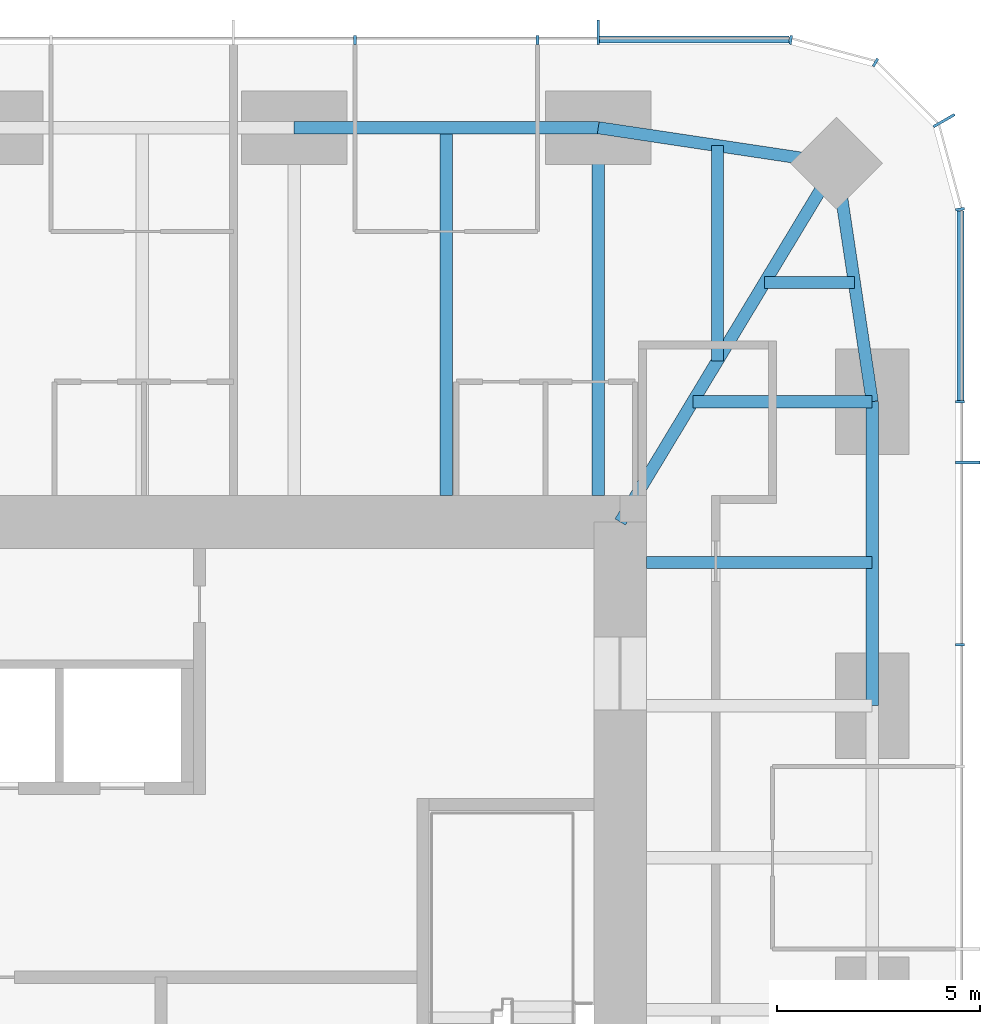
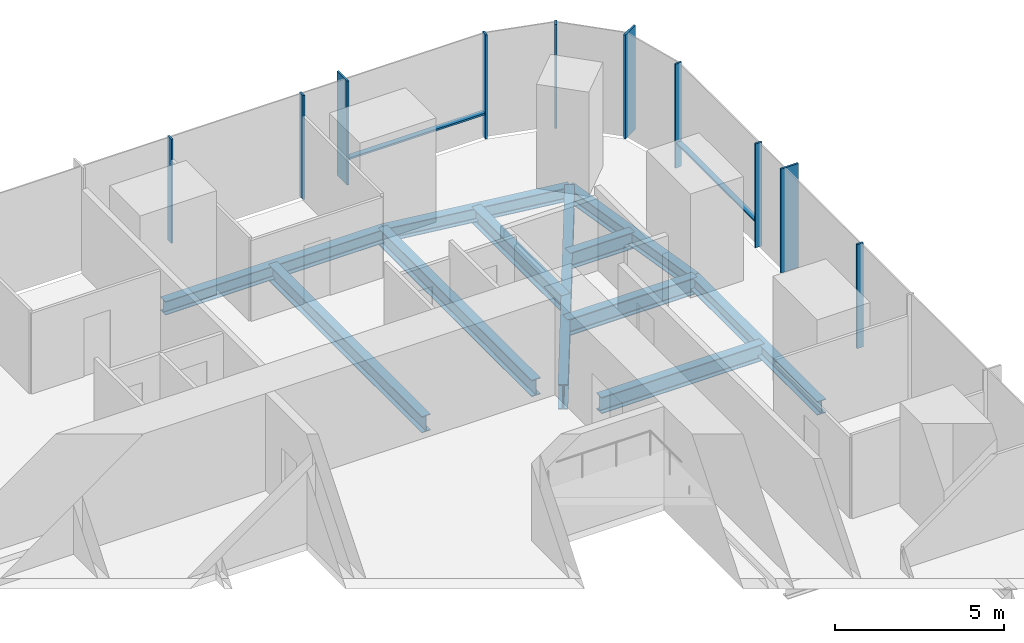
# One storey, part 6 of 12: 12 members, 11 beams, 3 elements without a shape of their own.
"""IFC4 building model written with IfcOpenShell, lengths in metres."""

from ifc_helpers import new_model, si_unit, direction, frame, origin, origin_2d, place, context, subcontext, project, spatial, rectangle, i_section, extrude, material, material_profile, profile_set, type_object, element, aggregate, save


model = new_model("IFC4")

# Units and contexts
model_context = context("Model", 3, precision=1e-05, world=origin(), true_north=direction((0.0, 1.0)))
body_context = subcontext(model_context, "Body", "Model", "MODEL_VIEW")
ifc_project = project(units=[si_unit("LENGTHUNIT", "METRE"), si_unit("AREAUNIT", "SQUARE_METRE"), si_unit("VOLUMEUNIT", "CUBIC_METRE"), si_unit("PLANEANGLEUNIT", "RADIAN"), si_unit("MASSUNIT", "GRAM", prefix="KILO")], contexts=[model_context])

# Site, building, storey
site_placement = place(None, origin())
site = spatial("IfcSite", under=ifc_project, at=site_placement, CompositionType="ELEMENT")
building_placement = place(site_placement, origin())
building = spatial("IfcBuilding", under=site, at=building_placement, Name="Khuree Lantern Residences", CompositionType="ELEMENT")
storey_placement = place(building_placement, frame((0.0, 0.0, 289.5)))
storey = spatial("IfcBuildingStorey", under=building, at=storey_placement, Name="L72", CompositionType="ELEMENT", Elevation=289.5)

# Beams
ifc_material_1 = material(Name="Steel S355", Category="steel")
ifc_material_profile_1 = material_profile(ifc_material_1, i_section(OverallWidth=0.300048828125, OverallDepth=0.590087890625, WebThickness=0.012939453125, FlangeThickness=0.02490234375, FilletRadius=0.027099609375, at=origin_2d()), Name="HE 600 A")
ifc_profile_set_1 = profile_set([ifc_material_profile_1], Name="Steel S355")
beam_type_1 = type_object("IfcBeamType", Name="B-41A SECONDARY BEAM HE 600 A", PredefinedType="BEAM", material=ifc_profile_set_1)
beam_1_placement = place(storey_placement, frame((11.219970703125, 21.699951171875, -0.544921875), z_axis=(0.0, -1.0, 0.0), x_axis=(1.0, 0.0, 0.0)))
element("IfcBeam", 1, at=beam_1_placement, inside=storey, type_object=beam_type_1, Name="Secondary beam N4", PredefinedType="BEAM", context=body_context, shape_type="SweptSolid", body=[
    extrude(i_section(OverallWidth=0.300048828125, OverallDepth=0.590087890625, WebThickness=0.012939453125, FlangeThickness=0.02490234375, FilletRadius=0.027099609375, at=origin_2d()), origin(), (0.0, 0.0, 1.0), 9.050048828125),
])
beam_2_placement = place(storey_placement, frame((17.890625, 21.2607421875, -0.544921875), z_axis=(0.0, -1.0, 0.0), x_axis=(1.0, 0.0, 0.0)))
element("IfcBeam", 2, at=beam_2_placement, inside=storey, type_object=beam_type_1, Name="Secondary beam N5", PredefinedType="BEAM", context=body_context, shape_type="SweptSolid", body=[
    extrude(i_section(OverallWidth=0.300048828125, OverallDepth=0.590087890625, WebThickness=0.012939453125, FlangeThickness=0.02490234375, FilletRadius=0.027099609375, at=origin_2d()), origin(), (0.0, 0.0, 1.0), 5.297607421875),
])
beam_3_placement = place(storey_placement, frame((21.2607421875, 17.890625, -0.544921875), z_axis=(-1.0, 0.0, 0.0), x_axis=(0.0, -1.0, 0.0)))
element("IfcBeam", 3, at=beam_3_placement, inside=storey, type_object=beam_type_1, Name="Secondary beam E1", PredefinedType="BEAM", context=body_context, shape_type="SweptSolid", body=[
    extrude(i_section(OverallWidth=0.300048828125, OverallDepth=0.590087890625, WebThickness=0.012939453125, FlangeThickness=0.02490234375, FilletRadius=0.027099609375, at=origin_2d()), origin(), (0.0, 0.0, 1.0), 2.207275390625),
])
beam_4_placement = place(storey_placement, frame((21.699951171875, 11.0, -0.544921875), z_axis=(-1.0, 0.0, 0.0), x_axis=(0.0, -1.0, 0.0)))
element("IfcBeam", 4, at=beam_4_placement, inside=storey, type_object=beam_type_1, Name="Secondary beam E2", PredefinedType="BEAM", context=body_context, shape_type="SweptSolid", body=[
    extrude(i_section(OverallWidth=0.300048828125, OverallDepth=0.590087890625, WebThickness=0.012939453125, FlangeThickness=0.02490234375, FilletRadius=0.027099609375, at=origin_2d()), origin(), (0.0, 0.0, 1.0), 5.550048828125),
])
ifc_material_profile_2 = material_profile(ifc_material_1, i_section(OverallWidth=0.300048828125, OverallDepth=0.489990234375, WebThickness=0.011962890625, FlangeThickness=0.02294921875, FilletRadius=0.027099609375, at=origin_2d()), Name="HE 500 A")
ifc_profile_set_2 = profile_set([ifc_material_profile_2], Name="Steel S355")
beam_type_2 = type_object("IfcBeamType", Name="E-41 SPANDREL BEAM HE 500 A", PredefinedType="SPANDREL", material=ifc_profile_set_2)
beam_5_placement = place(storey_placement, frame((7.47998046875, 21.699951171875, -0.4951171875), z_axis=(1.0, 0.0, 0.0), x_axis=(0.0, 1.0, 0.0)))
element("IfcBeam", 5, at=beam_5_placement, inside=storey, type_object=beam_type_2, Name="Spandrel beam N4", PredefinedType="SPANDREL", context=body_context, shape_type="SweptSolid", body=[
    extrude(i_section(OverallWidth=0.300048828125, OverallDepth=0.489990234375, WebThickness=0.011962890625, FlangeThickness=0.02294921875, FilletRadius=0.027099609375, at=origin_2d()), origin(), (0.0, 0.0, 1.0), 7.47998046875),
])
for number, where, z_axis, x_axis, name in (
    (6, (14.9599609375, 21.699951171875, -0.4951171875), (0.988949643299, -0.148251822985, 0.0), (0.148251822985, 0.988949643299, 0.0), "Spandrel beam N5"),
    (7, (20.8212890625, 20.8212890625, -0.4951171875), (0.148251822985, -0.988949643299, 0.0), (0.988949643299, 0.148251822985, 0.0), "Spandrel beam E1"),
):
    element("IfcBeam", number, at=place(storey_placement, frame(where, z_axis=z_axis, x_axis=x_axis)), inside=storey, type_object=beam_type_2, Name=name, PredefinedType="SPANDREL", context=body_context, shape_type="SweptSolid", body=[
        extrude(i_section(OverallWidth=0.300048828125, OverallDepth=0.489990234375, WebThickness=0.011962890625, FlangeThickness=0.02294921875, FilletRadius=0.027099609375, at=origin_2d()), origin(), (0.0, 0.0, 1.0), 5.9267578125),
    ])
beam_6_placement = place(storey_placement, frame((21.699951171875, 14.9599609375, -0.4951171875), z_axis=(0.0, -1.0, 0.0), x_axis=(1.0, 0.0, 0.0)))
element("IfcBeam", 8, at=beam_6_placement, inside=storey, type_object=beam_type_2, Name="Spandrel beam E2", PredefinedType="SPANDREL", context=body_context, shape_type="SweptSolid", body=[
    extrude(i_section(OverallWidth=0.300048828125, OverallDepth=0.489990234375, WebThickness=0.011962890625, FlangeThickness=0.02294921875, FilletRadius=0.027099609375, at=origin_2d()), origin(), (0.0, 0.0, 1.0), 7.47998046875),
])

# Curtain wall, member
ifc_material_2 = material(Name="Bronze anodised aluminium", Category="aluminium")
curtain_wall_type_1 = type_object("IfcCurtainWallType", Name="CW-T1 TOWER FACE CURTAIN WALL", PredefinedType="USERDEFINED", material=ifc_material_2)
curtain_wall_1_placement = place(storey_placement, origin())
curtain_wall_1 = element("IfcCurtainWall", 9, at=curtain_wall_1_placement, inside=storey, type_object=curtain_wall_type_1, Name="L72 EAST FACE CURTAIN WALL", ObjectType="Stick-built curtain wall", PredefinedType="USERDEFINED")
ifc_material_profile_3 = material_profile(ifc_material_2, rectangle(XDim=0.06494140625, YDim=0.60009765625, at=origin_2d()), Name="F1 65X600")
ifc_profile_set_3 = profile_set([ifc_material_profile_3], Name="Bronze anodised aluminium")
member_type_1 = type_object("IfcMemberType", Name="F1 BRONZE FIN MULLION TOWER 65X600", PredefinedType="MULLION", material=ifc_profile_set_3)
member_1_placement = place(storey_placement, frame((24.050048828125, 13.464111328125, 0.0), z_axis=(0.0, 0.0, 1.0), x_axis=(0.0, 1.0, 0.0)))
member_1 = element("IfcMember", 10, at=member_1_placement, type_object=member_type_1, Name="L72 EAST FACE FIN MULLION 13", PredefinedType="MULLION", context=body_context, shape_type="SweptSolid", body=[
    extrude(rectangle(XDim=0.06494140625, YDim=0.60009765625, at=origin_2d()), origin(), (0.0, 0.0, 1.0), 3.75),
])

curtain_wall_type_2 = type_object("IfcCurtainWallType", Name="CW-T2 TOWER CORNER CURTAIN WALL", PredefinedType="USERDEFINED", material=ifc_material_2)
curtain_wall_2_placement = place(storey_placement, origin())
curtain_wall_2 = element("IfcCurtainWall", 11, at=curtain_wall_2_placement, inside=storey, type_object=curtain_wall_type_2, Name="L72 NORTH-EAST CORNER CURTAIN WALL", ObjectType="Faceted corner curtain wall", PredefinedType="USERDEFINED")
member_2_placement = place(storey_placement, frame((23.46728515625, 21.875, 0.0), z_axis=(0.0, 0.0, 1.0), x_axis=(-0.49999994149, 0.866025437565, 0.0)))
member_2 = element("IfcMember", 12, at=member_2_placement, type_object=member_type_1, Name="L72 NORTH-EAST CORNER FIN MULLION 16", PredefinedType="MULLION", context=body_context, shape_type="SweptSolid", body=[
    extrude(rectangle(XDim=0.06494140625, YDim=0.60009765625, at=origin_2d()), origin(), (0.0, 0.0, 1.0), 3.75),
])

curtain_wall_3_placement = place(storey_placement, origin())
curtain_wall_3 = element("IfcCurtainWall", 13, at=curtain_wall_3_placement, inside=storey, type_object=curtain_wall_type_1, Name="L72 NORTH FACE CURTAIN WALL", ObjectType="Stick-built curtain wall", PredefinedType="USERDEFINED")
member_3_placement = place(storey_placement, frame((14.9599609375, 24.050048828125, 0.0), z_axis=(0.0, 0.0, 1.0), x_axis=(-1.0, 0.0, 0.0)))
member_3 = element("IfcMember", 14, at=member_3_placement, type_object=member_type_1, Name="L72 NORTH FACE FIN MULLION 19", PredefinedType="MULLION", context=body_context, shape_type="SweptSolid", body=[
    extrude(rectangle(XDim=0.06494140625, YDim=0.60009765625, at=origin_2d()), origin(), (0.0, 0.0, 1.0), 3.75),
])

# Beams
ifc_material_profile_4 = material_profile(ifc_material_1, i_section(OverallWidth=0.300048828125, OverallDepth=0.60009765625, WebThickness=0.015380859375, FlangeThickness=0.030029296875, FilletRadius=0.027099609375, at=origin_2d()), Name="HE 600 B")
ifc_profile_set_4 = profile_set([ifc_material_profile_4], Name="Steel S355")
beam_type_3 = type_object("IfcBeamType", Name="G-41 GIRDER HE 600 B", PredefinedType="BEAM", material=ifc_profile_set_4)
beam_7_placement = place(storey_placement, frame((14.9599609375, 21.699951171875, -0.550048828125), z_axis=(0.0, -1.0, 0.0), x_axis=(1.0, 0.0, 0.0)))
element("IfcBeam", 15, at=beam_7_placement, inside=storey, type_object=beam_type_3, Name="Girder N5", PredefinedType="BEAM", context=body_context, shape_type="SweptSolid", body=[
    extrude(i_section(OverallWidth=0.300048828125, OverallDepth=0.60009765625, WebThickness=0.015380859375, FlangeThickness=0.030029296875, FilletRadius=0.027099609375, at=origin_2d()), origin(), (0.0, 0.0, 1.0), 9.050048828125),
])
beam_8_placement = place(storey_placement, frame((21.699951171875, 14.9599609375, -0.550048828125), z_axis=(-1.0, 0.0, 0.0), x_axis=(0.0, -1.0, 0.0)))
element("IfcBeam", 16, at=beam_8_placement, inside=storey, type_object=beam_type_3, Name="Girder E1", PredefinedType="BEAM", context=body_context, shape_type="SweptSolid", body=[
    extrude(i_section(OverallWidth=0.300048828125, OverallDepth=0.60009765625, WebThickness=0.015380859375, FlangeThickness=0.030029296875, FilletRadius=0.027099609375, at=origin_2d()), origin(), (0.0, 0.0, 1.0), 4.414306640625),
])
ifc_material_profile_5 = material_profile(ifc_material_1, i_section(OverallWidth=0.300048828125, OverallDepth=0.89990234375, WebThickness=0.0185546875, FlangeThickness=0.034912109375, FilletRadius=0.030029296875, at=origin_2d()), Name="HE 900 B")
ifc_profile_set_5 = profile_set([ifc_material_profile_5], Name="Steel S355")
beam_type_4 = type_object("IfcBeamType", Name="GD-41 CORNER GIRDER HE 900 B", PredefinedType="BEAM", material=ifc_profile_set_5)
beam_9_placement = place(storey_placement, frame((20.8212890625, 20.8212890625, -0.699951171875), z_axis=(-0.516529577604, -0.856269347495, 0.0), x_axis=(0.856269347495, -0.516529577604, 0.0)))
element("IfcBeam", 17, at=beam_9_placement, inside=storey, type_object=beam_type_4, Name="Corner girder NE", PredefinedType="BEAM", context=body_context, shape_type="SweptSolid", body=[
    extrude(i_section(OverallWidth=0.300048828125, OverallDepth=0.89990234375, WebThickness=0.0185546875, FlangeThickness=0.034912109375, FilletRadius=0.030029296875, at=origin_2d()), origin(), (0.0, 0.0, 1.0), 10.302001953125),
])

# Member
ifc_material_profile_6 = material_profile(ifc_material_2, rectangle(XDim=0.06494140625, YDim=0.219970703125, at=origin_2d()), Name="M1 65X220")
ifc_profile_set_6 = profile_set([ifc_material_profile_6], Name="Bronze anodised aluminium")
member_type_2 = type_object("IfcMemberType", Name="M1 BRONZE MULLION TOWER 65X220", PredefinedType="MULLION", material=ifc_profile_set_6)
member_4_placement = place(storey_placement, frame((23.860107421875, 8.97607421875, 0.0), z_axis=(0.0, 0.0, 1.0), x_axis=(0.0, 1.0, 0.0)))
member_4 = element("IfcMember", 18, at=member_4_placement, type_object=member_type_2, Name="L72 EAST FACE MULLION 12", PredefinedType="MULLION", context=body_context, shape_type="SweptSolid", body=[
    extrude(rectangle(XDim=0.06494140625, YDim=0.219970703125, at=origin_2d()), origin(), (0.0, 0.0, 1.0), 3.75),
])

member_5_placement = place(storey_placement, frame((23.860107421875, 14.9599609375, 0.0), z_axis=(0.0, 0.0, 1.0), x_axis=(0.0, 1.0, 0.0)))
member_5 = element("IfcMember", 19, at=member_5_placement, type_object=member_type_2, Name="L72 EAST FACE MULLION 14", PredefinedType="MULLION", context=body_context, shape_type="SweptSolid", body=[
    extrude(rectangle(XDim=0.06494140625, YDim=0.219970703125, at=origin_2d()), origin(), (0.0, 0.0, 1.0), 3.75),
])

member_6_placement = place(storey_placement, frame((23.86181640625, 19.695068359375, 0.0), z_axis=(0.0, 0.0, 1.0), x_axis=(-0.130526125236, 0.991444870192, 0.0)))
member_6 = element("IfcMember", 20, at=member_6_placement, type_object=member_type_2, Name="L72 NORTH-EAST CORNER MULLION 15", PredefinedType="MULLION", context=body_context, shape_type="SweptSolid", body=[
    extrude(rectangle(XDim=0.06494140625, YDim=0.219970703125, at=origin_2d()), origin(), (0.0, 0.0, 1.0), 3.75),
])

member_7_placement = place(storey_placement, frame((21.780029296875, 23.302734375, 0.0), z_axis=(0.0, 0.0, 1.0), x_axis=(-0.866025437565, 0.49999994149, 0.0)))
member_7 = element("IfcMember", 21, at=member_7_placement, type_object=member_type_2, Name="L72 NORTH-EAST CORNER MULLION 17", PredefinedType="MULLION", context=body_context, shape_type="SweptSolid", body=[
    extrude(rectangle(XDim=0.06494140625, YDim=0.219970703125, at=origin_2d()), origin(), (0.0, 0.0, 1.0), 3.75),
])

aggregate(curtain_wall_2, [member_6, member_2, member_7])

member_8_placement = place(storey_placement, frame((19.695068359375, 23.86181640625, 0.0), z_axis=(0.0, 0.0, 1.0), x_axis=(-0.991444870192, 0.130526125236, 0.0)))
member_8 = element("IfcMember", 22, at=member_8_placement, type_object=member_type_2, Name="L72 NORTH FACE MULLION 18", PredefinedType="MULLION", context=body_context, shape_type="SweptSolid", body=[
    extrude(rectangle(XDim=0.06494140625, YDim=0.219970703125, at=origin_2d()), origin(), (0.0, 0.0, 1.0), 3.75),
])

member_9_placement = place(storey_placement, frame((13.464111328125, 23.860107421875, 0.0), z_axis=(0.0, 0.0, 1.0), x_axis=(-1.0, 0.0, 0.0)))
member_9 = element("IfcMember", 23, at=member_9_placement, type_object=member_type_2, Name="L72 NORTH FACE MULLION 20", PredefinedType="MULLION", context=body_context, shape_type="SweptSolid", body=[
    extrude(rectangle(XDim=0.06494140625, YDim=0.219970703125, at=origin_2d()), origin(), (0.0, 0.0, 1.0), 3.75),
])

member_10_placement = place(storey_placement, frame((8.97607421875, 23.860107421875, 0.0), z_axis=(0.0, 0.0, 1.0), x_axis=(-1.0, 0.0, 0.0)))
member_10 = element("IfcMember", 24, at=member_10_placement, type_object=member_type_2, Name="L72 NORTH FACE MULLION 21", PredefinedType="MULLION", context=body_context, shape_type="SweptSolid", body=[
    extrude(rectangle(XDim=0.06494140625, YDim=0.219970703125, at=origin_2d()), origin(), (0.0, 0.0, 1.0), 3.75),
])

ifc_material_profile_7 = material_profile(ifc_material_2, rectangle(XDim=0.179931640625, YDim=0.06494140625, at=origin_2d()), Name="T1 180X65")
ifc_profile_set_7 = profile_set([ifc_material_profile_7], Name="Bronze anodised aluminium")
member_type_3 = type_object("IfcMemberType", Name="TRANSOM T1 TOWER 180X65", PredefinedType="USERDEFINED", material=ifc_profile_set_7)
member_11_placement = place(storey_placement, frame((23.8701171875, 14.992431640625, 0.89990234375), z_axis=(0.0, 1.0, 0.0), x_axis=(-1.0, 0.0, 0.0)))
member_11 = element("IfcMember", 25, at=member_11_placement, type_object=member_type_3, Name="L72 EAST FACE TRANSOM 14.1", ObjectType="Transom", PredefinedType="USERDEFINED", context=body_context, shape_type="SweptSolid", body=[
    extrude(rectangle(XDim=0.179931640625, YDim=0.06494140625, at=origin_2d()), origin(), (0.0, 0.0, 1.0), 4.658935546875),
])

aggregate(curtain_wall_1, [member_4, member_1, member_5, member_11])

member_12_placement = place(storey_placement, frame((19.6513671875, 23.8701171875, 0.89990234375), z_axis=(-1.0, 0.0, 0.0), x_axis=(0.0, -1.0, 0.0)))
member_12 = element("IfcMember", 26, at=member_12_placement, type_object=member_type_3, Name="L72 NORTH FACE TRANSOM 18.1", ObjectType="Transom", PredefinedType="USERDEFINED", context=body_context, shape_type="SweptSolid", body=[
    extrude(rectangle(XDim=0.179931640625, YDim=0.06494140625, at=origin_2d()), origin(), (0.0, 0.0, 1.0), 4.658935546875),
])

aggregate(curtain_wall_3, [member_8, member_3, member_9, member_10, member_12])

save(model, "model.ifc")
